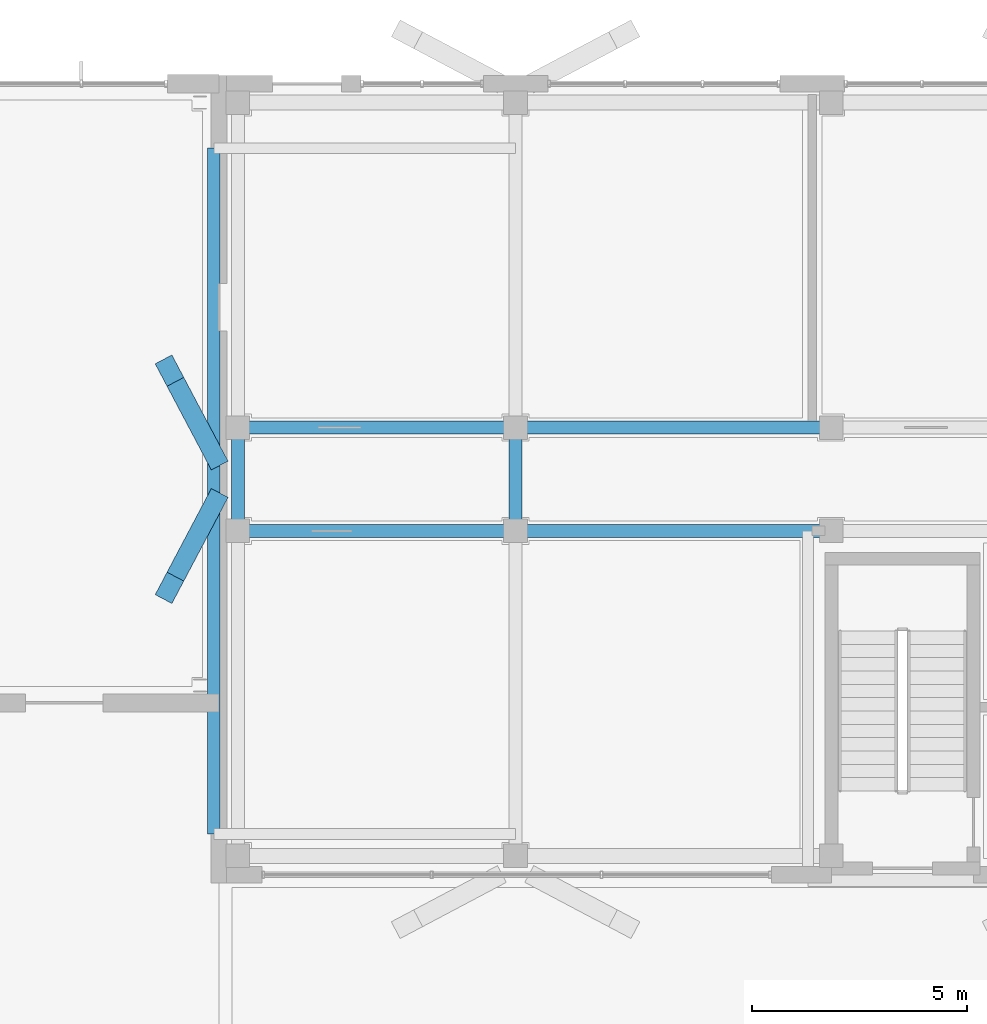
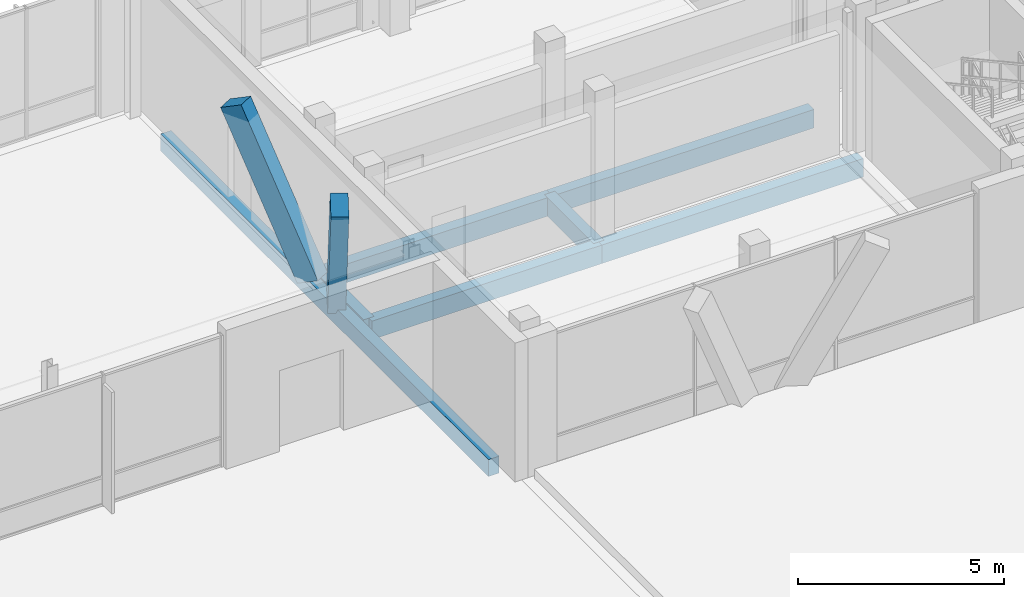
# One storey, part 131 of 233: 7 beams, 2 members.
"""IFC4 building model written with IfcOpenShell, lengths in metres."""

import ifcopenshell
import ifcopenshell.guid

model = None  # the IFC model being written
_history = None  # IfcOwnerHistory: only IFC2X3 demands one
_inside = {}  # id of a spatial element -> (the spatial element, [elements in it])
_under = {}  # id of a project, library or spatial element -> (it, [spatial elements below it])
_declared = {}  # id of a project -> (the project, [libraries it declares])
_typed = {}  # id of a type object -> (the type object, [elements of that type])
_made_of = {}  # id of a material, layer set ... -> (it, [elements and type objects made of it])


def new_model(schema):
    """Start an empty IFC model of exactly this schema.

    Asked for "IFC4X3", IfcOpenShell would pick the latest addendum, in which some entities
    have other attributes; the version numbers below select the first issue.
    IFC2X3 requires an IfcOwnerHistory on every rooted entity: one is made here for all.
    """
    global model, _history
    if schema == "IFC4X3":
        model = ifcopenshell.file(schema_version=(4, 3, 0, 0))
    else:
        model = ifcopenshell.file(schema=schema)
    _inside.clear()
    _under.clear()
    _declared.clear()
    _typed.clear()
    _made_of.clear()
    _history = None
    if model.schema == "IFC2X3":
        org = make("IfcOrganization", Name="unknown")
        user = make(
            "IfcPersonAndOrganization",
            ThePerson=make("IfcPerson", FamilyName="unknown"),
            TheOrganization=org,
        )
        app = make(
            "IfcApplication",
            ApplicationDeveloper=org,
            Version="unknown",
            ApplicationFullName="unknown",
            ApplicationIdentifier="unknown",
        )
        _history = make(
            "IfcOwnerHistory",
            OwningUser=user,
            OwningApplication=app,
            ChangeAction="ADDED",
            CreationDate=0,
        )
    return model


def make(cls, **values):
    """One entity of the class cls with the attributes given. An attribute that is None is left unset."""
    return model.create_entity(
        cls, **{name: value for name, value in values.items() if value is not None}
    )


def rooted(cls, **values):
    """An entity with a GlobalId (a new one), such as an element, a storey or a relation."""
    return make(cls, GlobalId=ifcopenshell.guid.new(), OwnerHistory=_history, **values)


def si_unit(unit_type, name, prefix=None):
    """IfcSIUnit, for example si_unit("LENGTHUNIT", "METRE", prefix="MILLI")."""
    return make("IfcSIUnit", UnitType=unit_type, Prefix=prefix, Name=name)


def assignment(units):
    """IfcUnitAssignment: the units of a project."""
    return None if units is None else make("IfcUnitAssignment", Units=units)


def point(xyz):
    """IfcCartesianPoint."""
    return None if xyz is None else make("IfcCartesianPoint", Coordinates=xyz)


def direction(xyz):
    """IfcDirection."""
    return None if xyz is None else make("IfcDirection", DirectionRatios=xyz)


def frame(location, z_axis=None, x_axis=None):
    """IfcAxis2Placement3D, a coordinate frame: its origin and axes. An axis left out is left unset."""
    return make(
        "IfcAxis2Placement3D",
        Location=point(location),
        Axis=direction(z_axis),
        RefDirection=direction(x_axis),
    )


def frame_2d(location, x_axis=None):
    """IfcAxis2Placement2D, a coordinate frame in the plane: its origin and x axis."""
    return make(
        "IfcAxis2Placement2D", Location=point(location), RefDirection=direction(x_axis)
    )


def origin():
    """The frame at (0, 0, 0) with its axes left unset."""
    return frame((0.0, 0.0, 0.0))


def origin_2d():
    """The frame at (0, 0) in the plane with its x axis left unset."""
    return frame_2d((0.0, 0.0))


def place(relative_to, where):
    """IfcLocalPlacement: puts the frame where relative to a parent placement (None: the world)."""
    return make(
        "IfcLocalPlacement", PlacementRelTo=relative_to, RelativePlacement=where
    )


def context(
    kind, dimensions, precision=None, world=None, true_north=None, identifier=None
):
    """IfcGeometricRepresentationContext, for example the 3D "Model" context."""
    return make(
        "IfcGeometricRepresentationContext",
        ContextIdentifier=identifier,
        ContextType=kind,
        CoordinateSpaceDimension=dimensions,
        Precision=precision,
        WorldCoordinateSystem=world,
        TrueNorth=true_north,
    )


def subcontext(parent, identifier, kind, view, scale=None):
    """IfcGeometricRepresentationSubContext, for example "Body" below "Model"."""
    return make(
        "IfcGeometricRepresentationSubContext",
        ContextIdentifier=identifier,
        ContextType=kind,
        ParentContext=parent,
        TargetScale=scale,
        TargetView=view,
    )


def project(units=None, contexts=None):
    """IfcProject with its units and contexts."""
    return rooted(
        "IfcProject",
        Name="project",
        RepresentationContexts=contexts,
        UnitsInContext=assignment(units),
    )


def spatial(cls, under=None, at=None, **own):
    """A site, building, storey or space (cls), placed at a placement, below another one or the project."""
    s = rooted(cls, ObjectPlacement=at, **own)
    if under is not None:
        _under.setdefault(under.id(), (under, []))[1].append(s)
    return s


def profile(cls, at=None, kind="AREA", **sizes):
    """A parametric profile (cls). Its sizes go by their IFC names, for example OverallWidth=200.0."""
    return make(cls, ProfileType=kind, Position=at, **sizes)


def rectangle(**sizes):
    """IfcRectangleProfileDef."""
    return profile("IfcRectangleProfileDef", **sizes)


def extrude(swept, where, along, depth):
    """IfcExtrudedAreaSolid: the profile swept, set in the frame where, extruded along a direction by depth."""
    return make(
        "IfcExtrudedAreaSolid",
        SweptArea=swept,
        Position=where,
        ExtrudedDirection=direction(along),
        Depth=depth,
    )


def shape(context_of_items, identifier, shape_type, items):
    """IfcShapeRepresentation: the items that make up one representation, for example the "Body"."""
    return make(
        "IfcShapeRepresentation",
        ContextOfItems=context_of_items,
        RepresentationIdentifier=identifier,
        RepresentationType=shape_type,
        Items=items,
    )


def material(Name=None, Category=None):
    """IfcMaterial."""
    return make("IfcMaterial", Name=Name, Category=Category)


def material_profile(
    of_material, cross_section, Name=None, Category=None, Priority=None
):
    """IfcMaterialProfile: a cross section and its material."""
    return make(
        "IfcMaterialProfile",
        Name=Name,
        Material=of_material,
        Profile=cross_section,
        Priority=Priority,
        Category=Category,
    )


def profile_set(profiles, Name=None, composite=None):
    """IfcMaterialProfileSet."""
    return make(
        "IfcMaterialProfileSet",
        Name=Name,
        MaterialProfiles=profiles,
        CompositeProfile=composite,
    )


def made_of(thing, what):
    """Note that an element or type object is made of a material, layer set ...; save() writes the relation."""
    if what is not None:
        _made_of.setdefault(what.id(), (what, []))[1].append(thing)
    return thing


def type_object(cls, material=None, **own):
    """A type object (cls), such as IfcWallType, which elements share."""
    return made_of(rooted(cls, **own), material)


def element(
    cls,
    number,
    at=None,
    inside=None,
    cuts=None,
    type_object=None,
    material=None,
    context=None,
    identifier="Body",
    shape_type=None,
    held_by="IfcProductDefinitionShape",
    body=None,
    shapes=None,
    **own,
):
    """One element of the class cls, such as IfcWall. Its Tag is "e" and its number.

    at: its placement. inside: the storey or other place that contains it. cuts: it is an
    opening in that element (IfcRelVoidsElement). A single representation is given by context,
    identifier, shape_type and body (its items); several are given by shapes. held_by: the class
    of the entity that holds the representations. save() writes the other relations.
    """
    e = rooted(cls, Tag="e%d" % number, ObjectPlacement=at, **own)
    if body is not None:
        shapes = [shape(context, identifier, shape_type, body)]
    if shapes is not None:
        e.Representation = make(held_by, Representations=shapes)
    if inside is not None:
        _inside.setdefault(inside.id(), (inside, []))[1].append(e)
    if cuts is not None:
        rooted(
            "IfcRelVoidsElement", RelatingBuildingElement=cuts, RelatedOpeningElement=e
        )
    if type_object is not None:
        _typed.setdefault(type_object.id(), (type_object, []))[1].append(e)
    return made_of(e, material)


def aggregate(whole, parts):
    """IfcRelAggregates: a whole, such as a stair, and the parts it consists of."""
    return rooted("IfcRelAggregates", RelatingObject=whole, RelatedObjects=parts)


def save(model, path):
    """Write the relations noted so far, then the file.

    IfcRelAggregates (storeys below a building ...), IfcRelContainedInSpatialStructure (elements
    in a storey), IfcRelDefinesByType, IfcRelAssociatesMaterial and IfcRelDeclares: one each for
    every whole, place, type object, material and project.
    """
    for whole, parts in _under.values():
        aggregate(whole, parts)
    for where, things in _inside.values():
        rooted(
            "IfcRelContainedInSpatialStructure",
            RelatedElements=things,
            RelatingStructure=where,
        )
    for kind, things in _typed.values():
        rooted("IfcRelDefinesByType", RelatedObjects=things, RelatingType=kind)
    for what, things in _made_of.values():
        rooted("IfcRelAssociatesMaterial", RelatedObjects=things, RelatingMaterial=what)
    for by, libraries in _declared.values():
        rooted("IfcRelDeclares", RelatingContext=by, RelatedDefinitions=libraries)
    model.write(path)


model = new_model("IFC4")

# Units and contexts
model_context = context("Model", 3, precision=1e-05, world=origin(), true_north=direction((0.0, 1.0)))
body_context = subcontext(model_context, "Body", "Model", "MODEL_VIEW")
ifc_project = project(units=[si_unit("LENGTHUNIT", "METRE"), si_unit("AREAUNIT", "SQUARE_METRE"), si_unit("VOLUMEUNIT", "CUBIC_METRE"), si_unit("PLANEANGLEUNIT", "RADIAN"), si_unit("MASSUNIT", "GRAM", prefix="KILO")], contexts=[model_context])

# Site, building, storey
site_placement = place(None, origin())
site = spatial("IfcSite", under=ifc_project, at=site_placement, CompositionType="ELEMENT")
building_placement = place(site_placement, origin())
building = spatial("IfcBuilding", under=site, at=building_placement, Name="Zavelmont Quarter", CompositionType="ELEMENT")
storey_placement = place(building_placement, origin())
storey = spatial("IfcBuildingStorey", under=building, at=storey_placement, Name="L00", CompositionType="ELEMENT", Elevation=0.0)

# Beams
ifc_material_1 = material(Name="Concrete C35/45", Category="concrete")
ifc_material_profile_1 = material_profile(ifc_material_1, rectangle(XDim=0.300048828125, YDim=0.550048828125, at=origin_2d()), Name="RC300X550")
ifc_profile_set_1 = profile_set([ifc_material_profile_1], Name="Concrete C35/45")
beam_type_1 = type_object("IfcBeamType", Name="BM02", PredefinedType="SPANDREL", material=ifc_profile_set_1)
beam_1_placement = place(storey_placement, frame((113.239990234375, 105.60009765625, -0.594970703125), z_axis=(1.0, 0.0, 0.0), x_axis=(0.0, 1.0, 0.0)))
element("IfcBeam", 1, at=beam_1_placement, inside=storey, type_object=beam_type_1, Name="L00 beam BM02 17/Q to 18/Q", PredefinedType="SPANDREL", context=body_context, shape_type="SweptSolid", body=[
    extrude(rectangle(XDim=0.300048828125, YDim=0.550048828125, at=origin_2d()), origin(), (0.0, 0.0, 1.0), 6.4599609375),
])
beam_2_placement = place(storey_placement, frame((119.699951171875, 105.60009765625, -0.594970703125), z_axis=(1.0, 0.0, 0.0), x_axis=(0.0, 1.0, 0.0)))
element("IfcBeam", 2, at=beam_2_placement, inside=storey, type_object=beam_type_1, Name="L00 beam BM02 18/Q to 19/Q", PredefinedType="SPANDREL", context=body_context, shape_type="SweptSolid", body=[
    extrude(rectangle(XDim=0.300048828125, YDim=0.550048828125, at=origin_2d()), origin(), (0.0, 0.0, 1.0), 7.340087890625),
])
beam_3_placement = place(storey_placement, frame((113.239990234375, 108.0, -0.594970703125), z_axis=(1.0, 0.0, 0.0), x_axis=(0.0, 1.0, 0.0)))
element("IfcBeam", 3, at=beam_3_placement, inside=storey, type_object=beam_type_1, Name="L00 beam BM02 17/R to 18/R", PredefinedType="SPANDREL", context=body_context, shape_type="SweptSolid", body=[
    extrude(rectangle(XDim=0.300048828125, YDim=0.550048828125, at=origin_2d()), origin(), (0.0, 0.0, 1.0), 6.4599609375),
])
beam_4_placement = place(storey_placement, frame((119.699951171875, 108.0, -0.594970703125), z_axis=(1.0, 0.0, 0.0), x_axis=(0.0, 1.0, 0.0)))
element("IfcBeam", 4, at=beam_4_placement, inside=storey, type_object=beam_type_1, Name="L00 beam BM02 18/R to 19/R", PredefinedType="SPANDREL", context=body_context, shape_type="SweptSolid", body=[
    extrude(rectangle(XDim=0.300048828125, YDim=0.550048828125, at=origin_2d()), origin(), (0.0, 0.0, 1.0), 7.340087890625),
])
for number, where, z_axis, x_axis, name in (
    (5, (113.239990234375, 105.60009765625, -0.594970703125), (0.0, 1.0, 0.0), (-1.0, 0.0, 0.0), "L00 beam BM02 17/Q to 17/R"),
    (6, (119.699951171875, 105.60009765625, -0.594970703125), (0.0, 1.0, 0.0), (-1.0, 0.0, 0.0), "L00 beam BM02 18/Q to 18/R"),
):
    element("IfcBeam", number, at=place(storey_placement, frame(where, z_axis=z_axis, x_axis=x_axis)), inside=storey, type_object=beam_type_1, Name=name, PredefinedType="SPANDREL", context=body_context, shape_type="SweptSolid", body=[
        extrude(rectangle(XDim=0.300048828125, YDim=0.550048828125, at=origin_2d()), origin(), (0.0, 0.0, 1.0), 2.39990234375),
    ])
ifc_material_profile_2 = material_profile(ifc_material_1, rectangle(XDim=0.300048828125, YDim=0.5, at=origin_2d()), Name="RC300X500")
ifc_profile_set_2 = profile_set([ifc_material_profile_2], Name="Concrete C35/45")
beam_type_2 = type_object("IfcBeamType", Name="BM03", PredefinedType="BEAM", material=ifc_profile_set_2)
beam_5_placement = place(storey_placement, frame((112.679931640625, 98.550048828125, -0.25), z_axis=(0.0, 1.0, 0.0), x_axis=(-1.0, 0.0, 0.0)))
element("IfcBeam", 7, at=beam_5_placement, inside=storey, type_object=beam_type_2, Name="L00 beam BM03 17/P to 17/S", PredefinedType="BEAM", context=body_context, shape_type="SweptSolid", body=[
    extrude(rectangle(XDim=0.300048828125, YDim=0.5, at=origin_2d()), origin(), (0.0, 0.0, 1.0), 15.949951171875),
])

# Members
ifc_material_2 = material(Name="White architectural precast concrete C40/50", Category="concrete")
ifc_material_profile_3 = material_profile(ifc_material_2, rectangle(XDim=0.43994140625, YDim=0.659912109375, at=origin_2d()), Name="PCR320X480")
ifc_profile_set_3 = profile_set([ifc_material_profile_3], Name="White architectural precast concrete C40/50")
member_type = type_object("IfcMemberType", Name="VR01M", PredefinedType="CHORD", material=ifc_profile_set_3)
member_1_placement = place(storey_placement, frame((112.679931640625, 106.219970703125, 0.0), z_axis=(-0.209343905721, -0.395614828234, 0.89423936215), x_axis=(0.883879582849, -0.467714531549, 0.0)))
element("IfcMember", 8, at=member_1_placement, inside=storey, type_object=member_type, Name="L00 member VR01M 17/Q to 17/Q", PredefinedType="CHORD", context=body_context, shape_type="SweptSolid", body=[
    extrude(rectangle(XDim=0.43994140625, YDim=0.659912109375, at=origin_2d()), origin(), (0.0, 0.0, 1.0), 4.920166015625),
])
member_2_placement = place(storey_placement, frame((112.679931640625, 107.3798828125, 0.0), z_axis=(-0.209339796135, 0.395656680346, 0.894221807524), x_axis=(-0.883903830476, -0.467668705891, 0.0)))
element("IfcMember", 9, at=member_2_placement, inside=storey, type_object=member_type, Name="L00 member VR01M 17/R to 17/R", PredefinedType="CHORD", context=body_context, shape_type="SweptSolid", body=[
    extrude(rectangle(XDim=0.43994140625, YDim=0.659912109375, at=origin_2d()), origin(), (0.0, 0.0, 1.0), 4.92041015625),
])

save(model, "model.ifc")
